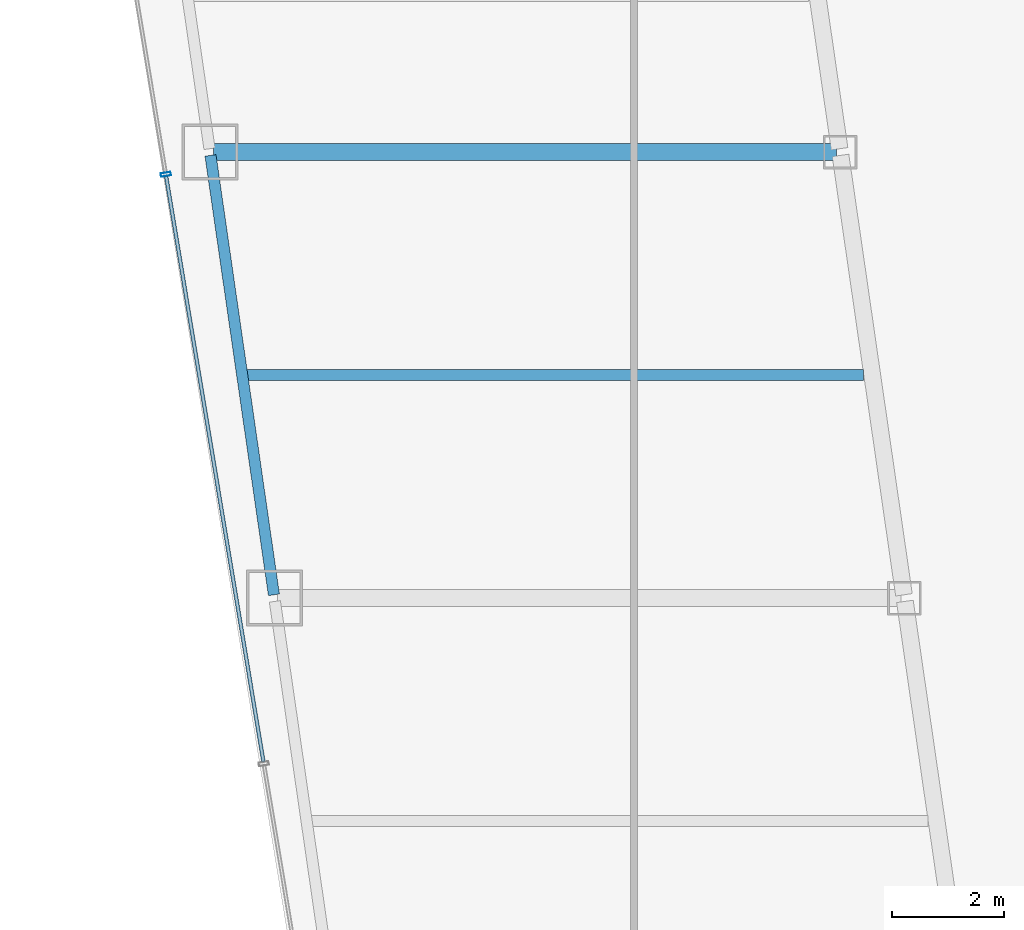
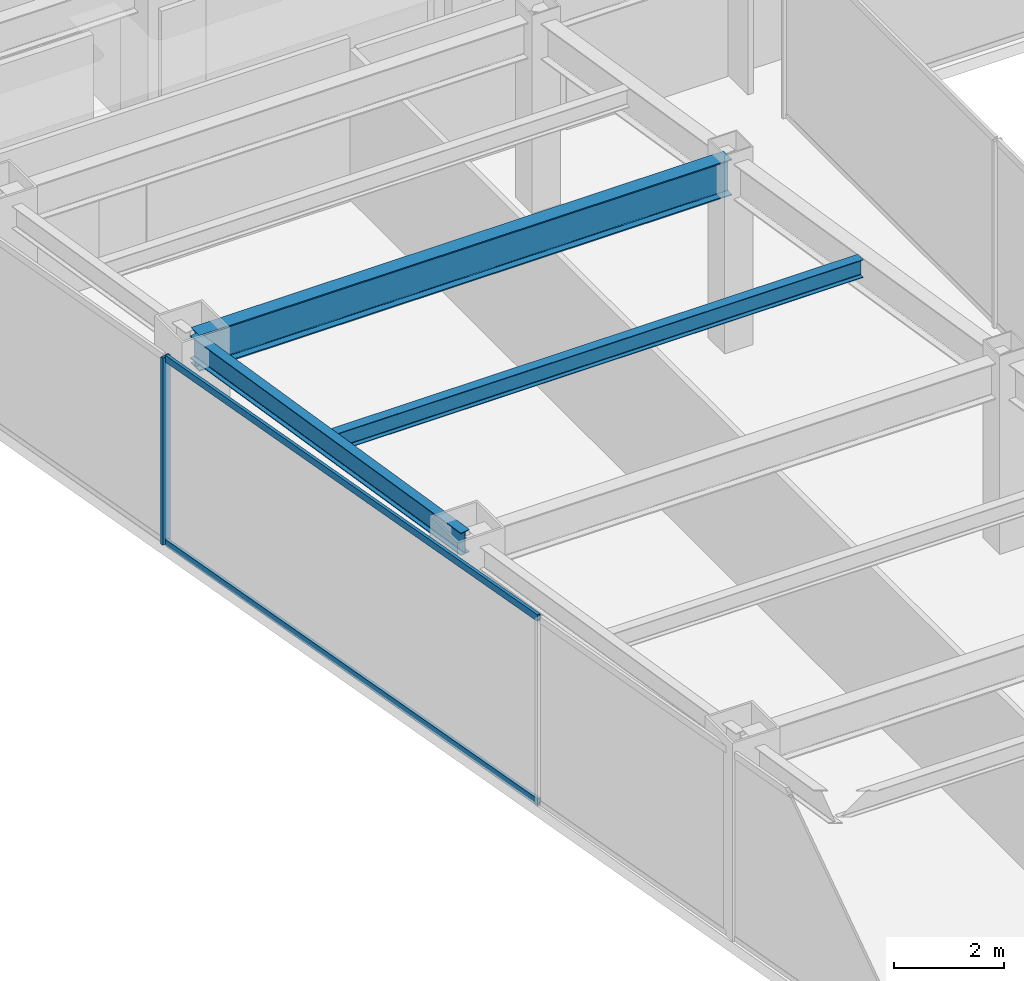
# One storey, part 5 of 35: 3 beams, 3 members, 1 element without a shape of its own.
"""IFC4 building model written with IfcOpenShell, lengths in metres."""

from ifc_helpers import new_model, si_unit, direction, frame, origin, origin_2d, place, context, subcontext, project, spatial, hollow_rectangle, i_section, extrude, material, material_profile, profile_set, type_object, element, aggregate, save


model = new_model("IFC4")

# Units and contexts
model_context = context("Model", 3, precision=1e-05, world=origin(), true_north=direction((0.0, 1.0)))
body_context = subcontext(model_context, "Body", "Model", "MODEL_VIEW")
ifc_project = project(units=[si_unit("LENGTHUNIT", "METRE"), si_unit("AREAUNIT", "SQUARE_METRE"), si_unit("VOLUMEUNIT", "CUBIC_METRE"), si_unit("PLANEANGLEUNIT", "RADIAN"), si_unit("MASSUNIT", "GRAM", prefix="KILO")], contexts=[model_context])

# Site, building, storey
site_placement = place(None, origin())
site = spatial("IfcSite", under=ifc_project, at=site_placement, CompositionType="ELEMENT")
building_placement = place(site_placement, origin())
building = spatial("IfcBuilding", under=site, at=building_placement, Name="Saevonmaru Cultural Tower", CompositionType="ELEMENT")
storey_placement = place(building_placement, frame((0.0, 0.0, 101.60009765625)))
storey = spatial("IfcBuildingStorey", under=building, at=storey_placement, Name="L21", CompositionType="ELEMENT", Elevation=101.60009765625)

# Beams
ifc_material_1 = material(Name="Steel SM420", Category="steel")
ifc_material_profile_1 = material_profile(ifc_material_1, i_section(OverallWidth=0.300048828125, OverallDepth=0.800048828125, WebThickness=0.013916015625, FlangeThickness=0.02587890625, FilletRadius=0.028076171875, at=origin_2d()), Name="H-800x300x14x26")
ifc_profile_set_1 = profile_set([ifc_material_profile_1], Name="Steel SM420")
beam_type_1 = type_object("IfcBeamType", Name="BM-G-H800", PredefinedType="BEAM", material=ifc_profile_set_1)
beam_1_placement = place(storey_placement, frame((8.376953125, 32.0, 3.75), z_axis=(1.0, 0.0, 0.0), x_axis=(0.0, 1.0, 0.0)))
element("IfcBeam", 1, at=beam_1_placement, inside=storey, type_object=beam_type_1, Name="L21 West Wing Transverse Girder 4", PredefinedType="BEAM", context=body_context, shape_type="SweptSolid", body=[
    extrude(i_section(OverallWidth=0.300048828125, OverallDepth=0.800048828125, WebThickness=0.013916015625, FlangeThickness=0.02587890625, FilletRadius=0.028076171875, at=origin_2d()), origin(), (0.0, 0.0, 1.0), 11.179931640625),
])
ifc_material_2 = material(Name="Steel SM355", Category="steel")
ifc_material_profile_2 = material_profile(ifc_material_2, i_section(OverallWidth=0.199951171875, OverallDepth=0.39990234375, WebThickness=0.008056640625, FlangeThickness=0.012939453125, FilletRadius=0.01611328125, at=origin_2d()), Name="H-400x200x8x13")
ifc_profile_set_2 = profile_set([ifc_material_profile_2], Name="Steel SM355")
beam_type_2 = type_object("IfcBeamType", Name="BM-J-H400", PredefinedType="JOIST", material=ifc_profile_set_2)
beam_2_placement = place(storey_placement, frame((8.95458984375, 28.0, 3.949951171875), z_axis=(1.0, 0.0, 0.0), x_axis=(0.0, 1.0, 0.0)))
element("IfcBeam", 2, at=beam_2_placement, inside=storey, type_object=beam_type_2, Name="L21 West Wing Floor Joist 3", PredefinedType="JOIST", context=body_context, shape_type="SweptSolid", body=[
    extrude(i_section(OverallWidth=0.199951171875, OverallDepth=0.39990234375, WebThickness=0.008056640625, FlangeThickness=0.012939453125, FilletRadius=0.01611328125, at=origin_2d()), origin(), (0.0, 0.0, 1.0), 11.08203125),
])
ifc_material_profile_3 = material_profile(ifc_material_2, i_section(OverallWidth=0.199951171875, OverallDepth=0.5, WebThickness=0.010009765625, FlangeThickness=0.01611328125, FilletRadius=0.02001953125, at=origin_2d()), Name="H-500x200x10x16")
ifc_profile_set_3 = profile_set([ifc_material_profile_3], Name="Steel SM355")
beam_type_3 = type_object("IfcBeamType", Name="BM-SP-H500", PredefinedType="SPANDREL", material=ifc_profile_set_3)
beam_3_placement = place(storey_placement, frame((9.46337890625, 24.059326171875, 3.89990234375), z_axis=(-0.142871999001, 0.989741174197, 0.0), x_axis=(-0.989741174197, -0.142871999001, 0.0)))
element("IfcBeam", 3, at=beam_3_placement, inside=storey, type_object=beam_type_3, Name="L21 West Splayed Spandrel 3", PredefinedType="SPANDREL", context=body_context, shape_type="SweptSolid", body=[
    extrude(i_section(OverallWidth=0.199951171875, OverallDepth=0.5, WebThickness=0.010009765625, FlangeThickness=0.01611328125, FilletRadius=0.02001953125, at=origin_2d()), origin(), (0.0, 0.0, 1.0), 7.963134765625),
])

# Curtain wall, members
ifc_material_3 = material(Name="Satin Bronze Anodised Aluminium", Category="aluminium")
curtain_wall_type = type_object("IfcCurtainWallType", Name="CW-TYP-A", PredefinedType="NOTDEFINED", material=ifc_material_3)
curtain_wall_placement = place(storey_placement, origin())
curtain_wall = element("IfcCurtainWall", 4, at=curtain_wall_placement, inside=storey, type_object=curtain_wall_type, Name="L21 Unitised Curtain Wall E12", PredefinedType="NOTDEFINED")
ifc_material_profile_4 = material_profile(ifc_material_3, hollow_rectangle(XDim=0.06494140625, YDim=0.179931640625, WallThickness=0.00390625, at=origin_2d()), Name="ALU-MULL-180x65x4")
ifc_profile_set_4 = profile_set([ifc_material_profile_4], Name="Satin Bronze Anodised Aluminium")
member_type_1 = type_object("IfcMemberType", Name="ML-CW-180x65", PredefinedType="MULLION", material=ifc_profile_set_4)
member_1_placement = place(storey_placement, frame((7.5244140625, 31.60009765625, 0.0), z_axis=(0.0, 0.0, 1.0), x_axis=(0.163998702345, -0.986460554523, 0.0)))
member_1 = element("IfcMember", 5, at=member_1_placement, type_object=member_type_1, Name="CW-TW-L21-E12 mullion 3", PredefinedType="MULLION", context=body_context, shape_type="SweptSolid", body=[
    extrude(hollow_rectangle(XDim=0.06494140625, YDim=0.179931640625, WallThickness=0.00390625, at=origin_2d()), origin(), (0.0, 0.0, 1.0), 4.14990234375),
])
ifc_material_profile_5 = material_profile(ifc_material_3, hollow_rectangle(XDim=0.06494140625, YDim=0.14990234375, WallThickness=0.00390625, at=origin_2d()), Name="ALU-TRAN-150x65x4")
ifc_profile_set_5 = profile_set([ifc_material_profile_5], Name="Satin Bronze Anodised Aluminium")
member_type_2 = type_object("IfcMemberType", Name="TR-CW-150x65", PredefinedType="USERDEFINED", material=ifc_profile_set_5)
member_2_placement = place(storey_placement, frame((7.52978515625, 31.56787109375, 0.032470703125), z_axis=(0.163993787386, -0.98646137162, 0.0), x_axis=(0.98646137162, 0.163993787386, 0.0)))
member_2 = element("IfcMember", 6, at=member_2_placement, type_object=member_type_2, Name="CW-TW-L21-E12 transom 3.1", ObjectType="TRANSOM", PredefinedType="USERDEFINED", context=body_context, shape_type="SweptSolid", body=[
    extrude(hollow_rectangle(XDim=0.06494140625, YDim=0.14990234375, WallThickness=0.00390625, at=origin_2d()), origin(), (0.0, 0.0, 1.0), 10.650390625),
])
member_3_placement = place(storey_placement, frame((7.52978515625, 31.56787109375, 4.117431640625), z_axis=(0.163993787386, -0.98646137162, 0.0), x_axis=(0.98646137162, 0.163993787386, 0.0)))
member_3 = element("IfcMember", 7, at=member_3_placement, type_object=member_type_2, Name="CW-TW-L21-E12 transom 3.2", ObjectType="TRANSOM", PredefinedType="USERDEFINED", context=body_context, shape_type="SweptSolid", body=[
    extrude(hollow_rectangle(XDim=0.06494140625, YDim=0.14990234375, WallThickness=0.00390625, at=origin_2d()), origin(), (0.0, 0.0, 1.0), 10.650390625),
])
aggregate(curtain_wall, [member_1, member_2, member_3])

save(model, "model.ifc")
